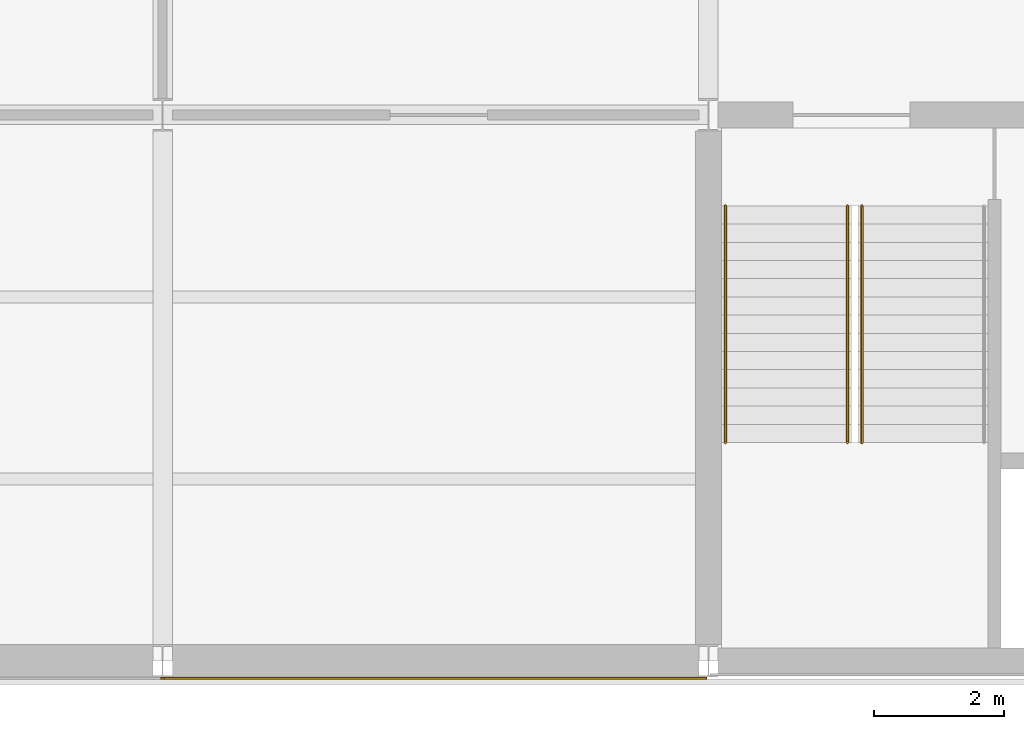
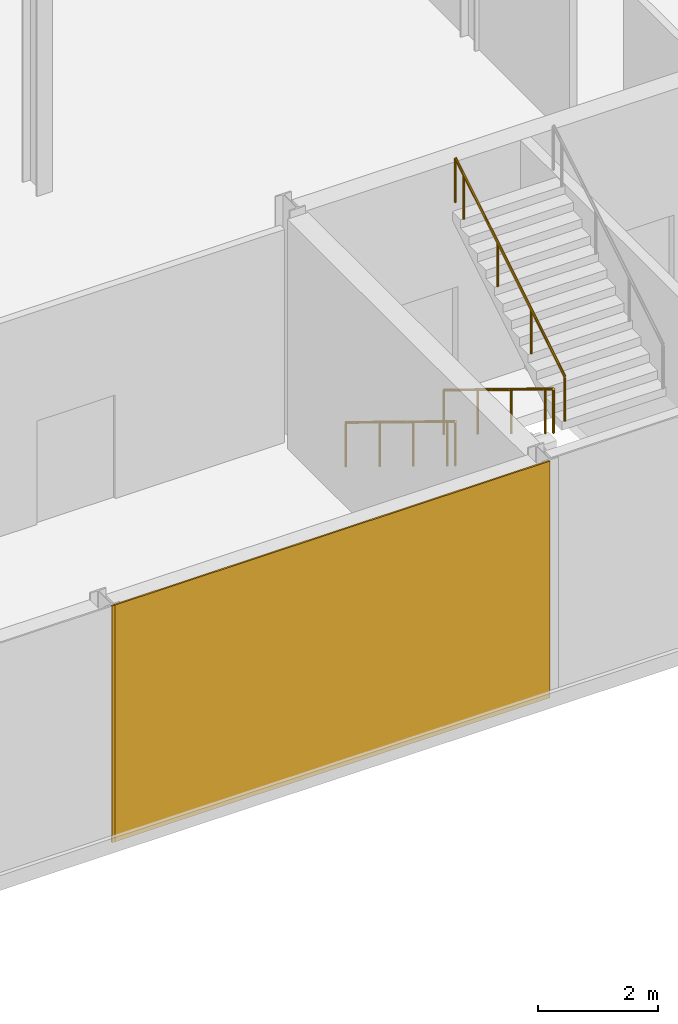
# One storey, part 53 of 61: 3 railings, 2 coverings.
"""IFC4 building model written with IfcOpenShell, lengths in metres."""

from ifc_helpers import new_model, si_unit, direction, frame, origin, origin_2d, place, context, subcontext, project, spatial, rectangle, circle, extrude, material, layer, layer_set, type_object, element, save


model = new_model("IFC4")

# Units and contexts
model_context = context("Model", 3, precision=1e-05, world=origin(), true_north=direction((0.0, 1.0)))
body_context = subcontext(model_context, "Body", "Model", "MODEL_VIEW")
ifc_project = project(units=[si_unit("LENGTHUNIT", "METRE"), si_unit("AREAUNIT", "SQUARE_METRE"), si_unit("VOLUMEUNIT", "CUBIC_METRE"), si_unit("PLANEANGLEUNIT", "RADIAN"), si_unit("MASSUNIT", "GRAM", prefix="KILO")], contexts=[model_context])

# Site, building, storey
site_placement = place(None, origin())
site = spatial("IfcSite", under=ifc_project, at=site_placement, CompositionType="ELEMENT")
building_placement = place(site_placement, origin())
building = spatial("IfcBuilding", under=site, at=building_placement, Name="Galleria Vessillo Department Store", CompositionType="ELEMENT")
storey_placement = place(building_placement, frame((0.0, 0.0, 11.39990234375)))
storey = spatial("IfcBuildingStorey", under=building, at=storey_placement, Name="L02", CompositionType="ELEMENT", Elevation=11.39990234375)

# Coverings
ifc_material_1 = material(Name="Lime plaster (intonaco) ochre")
ifc_layer = layer(ifc_material_1, 0.030029296875)
ifc_layer_set = layer_set([ifc_layer], Name="Lime plaster (intonaco) ochre")
covering_type = type_object("IfcCoveringType", Name="Lime plaster render 30 mm", PredefinedType="CLADDING", material=ifc_layer_set)
covering_1_placement = place(storey_placement, frame((71.39990234375, -0.264892578125, 0.0), z_axis=(0.0, 0.0, 1.0), x_axis=(1.0, 0.0, 0.0)))
element("IfcCovering", 1, at=covering_1_placement, inside=storey, type_object=covering_type, Name="Wall cladding S-PS-L02-06", PredefinedType="CLADDING", context=body_context, shape_type="SweptSolid", body=[
    extrude(rectangle(XDim=8.34033203125, YDim=0.030029296875, at=origin_2d()), origin(), (0.0, 0.0, 1.0), 4.800048828125),
])
covering_2_placement = place(storey_placement, frame((67.199951171875, -0.264892578125, 0.0), z_axis=(0.0, 0.0, 1.0), x_axis=(1.0, 0.0, 0.0)))
element("IfcCovering", 2, at=covering_2_placement, inside=storey, type_object=covering_type, Name="Joint block Wall cladding S-PS-L02-05", PredefinedType="CLADDING", context=body_context, shape_type="SweptSolid", body=[
    extrude(rectangle(XDim=0.059814453125, YDim=0.030029296875, at=origin_2d()), origin(), (0.0, 0.0, 1.0), 4.800048828125),
])

# Railings
ifc_material_2 = material(Name="Stainless steel tube", Category="steel")
railing_type = type_object("IfcRailingType", Name="Stair handrail steel tube 48 mm", PredefinedType="HANDRAIL", material=ifc_material_2)
for number, where, name in (
    (3, (77.739990234375, 7.0, 0.17138671875), "Handrail ST5 L02 flight 1A"),
    (4, (75.860107421875, 7.0, 0.17138671875), "Handrail ST5 L02 flight 1B"),
):
    element("IfcRailing", number, at=place(storey_placement, frame(where)), inside=storey, type_object=railing_type, Name=name, PredefinedType="HANDRAIL", context=body_context, shape_type="SweptSolid", body=[
        extrude(circle(Radius=0.02392578125, at=origin_2d()), frame((0.0, 0.0, 0.89599609375), z_axis=(0.0, -0.852849614702, 0.52215661894), x_axis=(1.0, 0.0, 0.0)), (0.0, 0.0, 1.0), 1.3134765625),
        extrude(circle(Radius=0.02392578125, at=origin_2d()), frame((0.0, -1.1201171875, 1.58154296875), z_axis=(0.0, -0.852798921012, 0.522239409008), x_axis=(1.0, 0.0, 0.0)), (0.0, 0.0, 1.0), 1.313232421875),
        extrude(circle(Radius=0.02392578125, at=origin_2d()), frame((0.0, -2.239990234375, 2.267578125), z_axis=(0.0, -0.852932391421, 0.522021393877), x_axis=(1.0, 0.0, 0.0)), (0.0, 0.0, 1.0), 1.313232421875),
        extrude(circle(Radius=0.02392578125, at=origin_2d()), frame((0.0, -3.360107421875, 2.953125), z_axis=(0.0, -0.852729557261, 0.522352660731), x_axis=(1.0, 0.0, 0.0)), (0.0, 0.0, 1.0), 0.328125),
        extrude(circle(Radius=0.02099609375, at=origin_2d()), origin(), (0.0, 0.0, 1.0), 0.871826171875),
        extrude(circle(Radius=0.02099609375, at=origin_2d()), frame((0.0, -1.1201171875, 0.685791015625)), (0.0, 0.0, 1.0), 0.871826171875),
        extrude(circle(Radius=0.02099609375, at=origin_2d()), frame((0.0, -2.239990234375, 1.37158203125)), (0.0, 0.0, 1.0), 0.871826171875),
        extrude(circle(Radius=0.02099609375, at=origin_2d()), frame((0.0, -3.360107421875, 2.05712890625)), (0.0, 0.0, 1.0), 0.871826171875),
        extrude(circle(Radius=0.02099609375, at=origin_2d()), frame((0.0, -3.639892578125, 2.228515625)), (0.0, 0.0, 1.0), 0.871826171875),
    ])
railing_placement = place(storey_placement, frame((77.9599609375, 3.360107421875, 2.571533203125)))
element("IfcRailing", 5, at=railing_placement, inside=storey, type_object=railing_type, Name="Handrail ST5 L02 flight 2A", PredefinedType="HANDRAIL", context=body_context, shape_type="SweptSolid", body=[
    extrude(circle(Radius=0.02392578125, at=origin_2d()), frame((0.0, 0.0, 0.89599609375), z_axis=(0.0, 0.852849614702, 0.52215661894), x_axis=(-1.0, 0.0, 0.0)), (0.0, 0.0, 1.0), 1.3134765625),
    extrude(circle(Radius=0.02392578125, at=origin_2d()), frame((0.0, 1.1201171875, 1.58154296875), z_axis=(0.0, 0.852798921012, 0.522239409008), x_axis=(-1.0, 0.0, 0.0)), (0.0, 0.0, 1.0), 1.313232421875),
    extrude(circle(Radius=0.02392578125, at=origin_2d()), frame((0.0, 2.239990234375, 2.267578125), z_axis=(0.0, 0.852932391421, 0.522021393877), x_axis=(-1.0, 0.0, 0.0)), (0.0, 0.0, 1.0), 1.313232421875),
    extrude(circle(Radius=0.02392578125, at=origin_2d()), frame((0.0, 3.360107421875, 2.953125), z_axis=(0.0, 0.852729557261, 0.522352660731), x_axis=(-1.0, 0.0, 0.0)), (0.0, 0.0, 1.0), 0.328125),
    extrude(circle(Radius=0.02099609375, at=origin_2d()), origin(), (0.0, 0.0, 1.0), 0.871826171875),
    extrude(circle(Radius=0.02099609375, at=origin_2d()), frame((0.0, 1.1201171875, 0.685791015625)), (0.0, 0.0, 1.0), 0.871826171875),
    extrude(circle(Radius=0.02099609375, at=origin_2d()), frame((0.0, 2.239990234375, 1.37158203125)), (0.0, 0.0, 1.0), 0.871826171875),
    extrude(circle(Radius=0.02099609375, at=origin_2d()), frame((0.0, 3.360107421875, 2.05712890625)), (0.0, 0.0, 1.0), 0.871826171875),
    extrude(circle(Radius=0.02099609375, at=origin_2d()), frame((0.0, 3.639892578125, 2.228515625)), (0.0, 0.0, 1.0), 0.871826171875),
])

save(model, "model.ifc")
